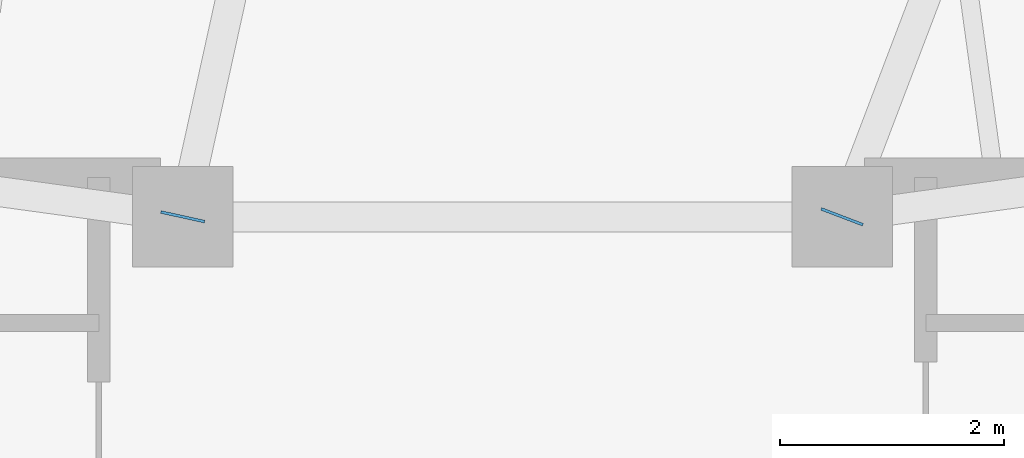
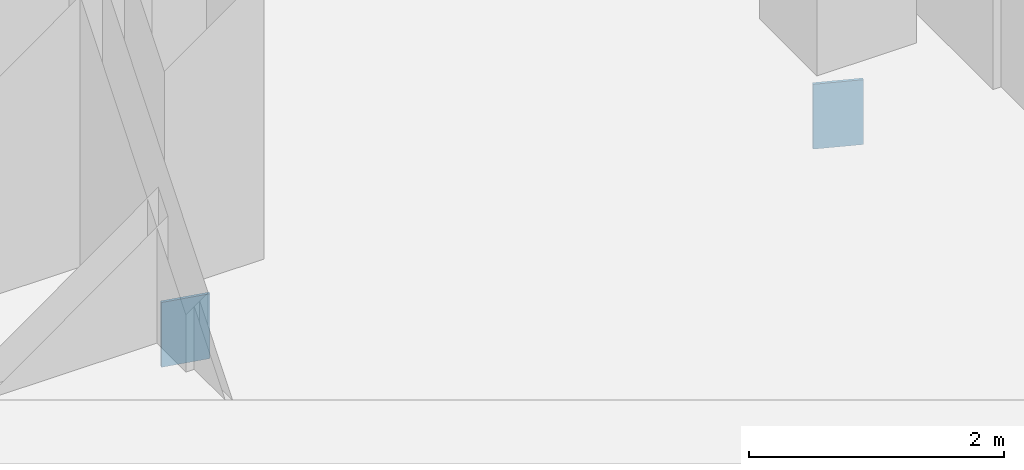
# One storey, part 11 of 15: 2 plates.
"""IFC4 building model written with IfcOpenShell, lengths in metres."""

from ifc_helpers import new_model, si_unit, direction, frame, origin, origin_2d, place, context, subcontext, project, spatial, rectangle, extrude, material, layer, layer_set, type_object, element, save


model = new_model("IFC4")

# Units and contexts
model_context = context("Model", 3, precision=1e-05, world=origin(), true_north=direction((0.0, 1.0)))
body_context = subcontext(model_context, "Body", "Model", "MODEL_VIEW")
ifc_project = project(units=[si_unit("LENGTHUNIT", "METRE"), si_unit("AREAUNIT", "SQUARE_METRE"), si_unit("VOLUMEUNIT", "CUBIC_METRE"), si_unit("PLANEANGLEUNIT", "RADIAN"), si_unit("MASSUNIT", "GRAM", prefix="KILO")], contexts=[model_context])

# Site, building, storey
site_placement = place(None, origin())
site = spatial("IfcSite", under=ifc_project, at=site_placement, CompositionType="ELEMENT")
building_placement = place(site_placement, origin())
building = spatial("IfcBuilding", under=site, at=building_placement, Name="Menara Jurai Vektor", CompositionType="ELEMENT")
storey_placement = place(building_placement, frame((0.0, 0.0, 254.449951171875)))
storey = spatial("IfcBuildingStorey", under=building, at=storey_placement, Name="L68", CompositionType="ELEMENT", Elevation=254.449951171875)

# Plates
ifc_material = material(Name="Steel S355", Category="steel")
ifc_layer = layer(ifc_material, 0.02490234375)
ifc_layer_set = layer_set([ifc_layer], Name="Steel S355")
plate_type = type_object("IfcPlateType", Name="STR-PLT-CAST25", PredefinedType="SHEET", material=ifc_layer_set)
for number, where, z_axis, x_axis, name in (
    (1, (2.949951171875, 5.25, -1.10009765625), (0.0, 0.0, 1.0), (0.934701663732, -0.355433256487, 0.0), "Cast-in End Plate L68-N2"),
    (2, (-2.949951171875, 5.25, -1.10009765625), (0.0, 0.0, 1.0), (0.976597262064, -0.215076237017, 0.0), "Cast-in End Plate L68-N3"),
):
    element("IfcPlate", number, at=place(storey_placement, frame(where, z_axis=z_axis, x_axis=x_axis)), inside=storey, type_object=plate_type, Name=name, PredefinedType="SHEET", context=body_context, shape_type="SweptSolid", body=[
        extrude(rectangle(XDim=0.39990234375, YDim=0.02490234375, at=origin_2d()), origin(), (0.0, 0.0, 1.0), 0.6201171875),
    ])

save(model, "model.ifc")
